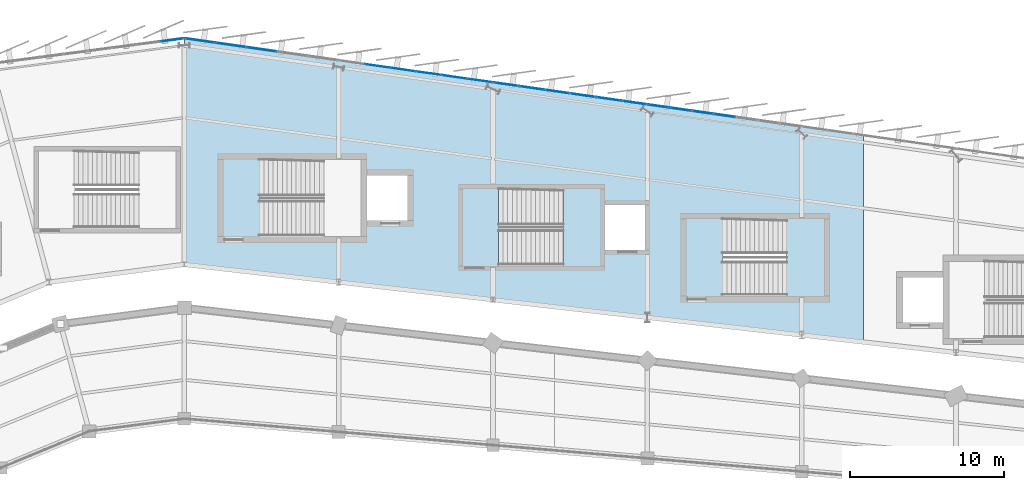
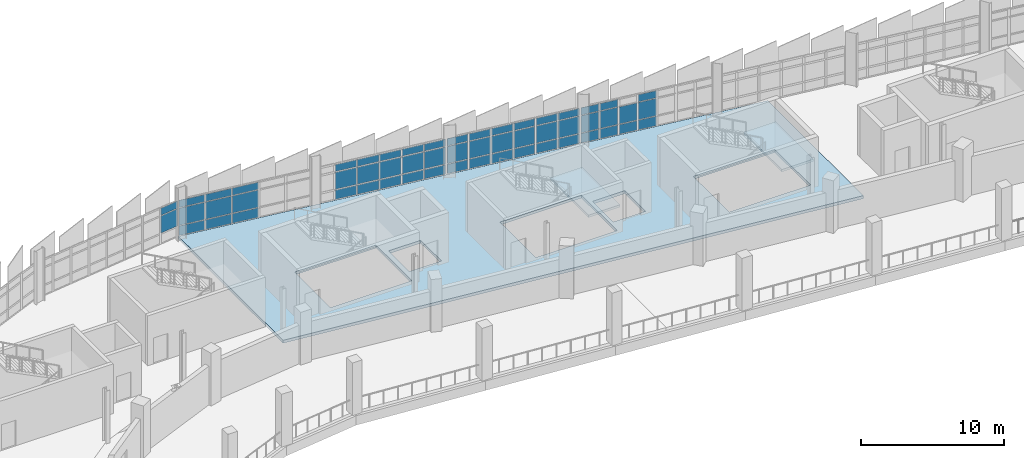
# One storey, part 91 of 125: 55 plates, 3 slabs, 7 elements without a shape of their own.
"""IFC4 building model written with IfcOpenShell, lengths in metres."""

from ifc_helpers import new_model, si_unit, direction, frame, origin, origin_2d, place, context, subcontext, project, spatial, polyline, rectangle, outline, extrude, material, layer, layer_set, type_object, element, aggregate, save


model = new_model("IFC4")

# Units and contexts
model_context = context("Model", 3, precision=1e-05, world=origin(), true_north=direction((0.0, 1.0)))
body_context = subcontext(model_context, "Body", "Model", "MODEL_VIEW")
ifc_project = project(units=[si_unit("LENGTHUNIT", "METRE"), si_unit("AREAUNIT", "SQUARE_METRE"), si_unit("VOLUMEUNIT", "CUBIC_METRE"), si_unit("PLANEANGLEUNIT", "RADIAN"), si_unit("MASSUNIT", "GRAM", prefix="KILO")], contexts=[model_context])

# Site, building, storey
site_placement = place(None, origin())
site = spatial("IfcSite", under=ifc_project, at=site_placement, CompositionType="ELEMENT")
building_placement = place(site_placement, origin())
building = spatial("IfcBuilding", under=site, at=building_placement, Name="Sohan Crest Arena", CompositionType="ELEMENT")
storey_placement = place(building_placement, frame((0.0, 0.0, 9.0)))
storey = spatial("IfcBuildingStorey", under=building, at=storey_placement, Name="L02", CompositionType="ELEMENT", Elevation=9.0)

# Curtain wall, plates
ifc_material_1 = material(Name="Thermally broken anodised aluminium", Category="aluminium")
ifc_layer_1 = layer(ifc_material_1, 0.179931640625, Name="Thermally broken anodised aluminium")
ifc_layer_set_1 = layer_set([ifc_layer_1], Name="Thermally broken anodised aluminium")
curtain_wall_type_1 = type_object("IfcCurtainWallType", Name="ARC-CW01", PredefinedType="NOTDEFINED", material=ifc_layer_set_1)
curtain_wall_1_placement = place(storey_placement, origin())
curtain_wall_1 = element("IfcCurtainWall", 1, at=curtain_wall_1_placement, inside=storey, type_object=curtain_wall_type_1, Name="Unitised curtain wall CW-050", PredefinedType="NOTDEFINED")
ifc_material_2 = material(Name="Low-E double-glazed insulated glass", Category="glass")
ifc_layer_2 = layer(ifc_material_2, 0.028076171875, Name="Low-E double-glazed insulated glass")
ifc_layer_set_2 = layer_set([ifc_layer_2], Name="Low-E double-glazed insulated glass")
plate_type_1 = type_object("IfcPlateType", Name="ARC-CNP01", PredefinedType="CURTAIN_PANEL", material=ifc_layer_set_2)
plate_1_placement = place(storey_placement, frame((97.201416015625, 126.344970703125, 0.929931640625), z_axis=(0.0, 0.0, 1.0), x_axis=(-0.991444066575, -0.130532229177, 0.0)))
plate_1 = element("IfcPlate", 2, at=plate_1_placement, type_object=plate_type_1, Name="CW-050 panel 1.2", PredefinedType="CURTAIN_PANEL", context=body_context, shape_type="SweptSolid", body=[
    extrude(rectangle(XDim=1.490966796875, YDim=0.028076171875, at=origin_2d()), origin(), (0.0, 0.0, 1.0), 1.4599609375),
])
plate_2_placement = place(storey_placement, frame((97.201416015625, 126.344970703125, 2.44970703125), z_axis=(0.0, 0.0, 1.0), x_axis=(-0.991444066575, -0.130532229177, 0.0)))
plate_2 = element("IfcPlate", 3, at=plate_2_placement, type_object=plate_type_1, Name="CW-050 panel 1.3", PredefinedType="CURTAIN_PANEL", context=body_context, shape_type="SweptSolid", body=[
    extrude(rectangle(XDim=1.490966796875, YDim=0.028076171875, at=origin_2d()), origin(), (0.0, 0.0, 1.0), 0.610107421875),
])
aggregate(curtain_wall_1, [plate_1, plate_2])

ifc_layer_3 = layer(ifc_material_1, 0.219970703125, Name="Thermally broken anodised aluminium")
ifc_layer_set_3 = layer_set([ifc_layer_3], Name="Thermally broken anodised aluminium")
curtain_wall_type_2 = type_object("IfcCurtainWallType", Name="ARC-CW03", PredefinedType="NOTDEFINED", material=ifc_layer_set_3)
curtain_wall_2_placement = place(storey_placement, origin())
curtain_wall_2 = element("IfcCurtainWall", 4, at=curtain_wall_2_placement, inside=storey, type_object=curtain_wall_type_2, Name="Unitised curtain wall CW-078", PredefinedType="NOTDEFINED")
plate_3_placement = place(storey_placement, frame((117.15185546875, 123.714111328125, 0.070068359375), z_axis=(0.0, 0.0, 1.0), x_axis=(-0.989957411768, 0.141365918403, 0.0)))
plate_3 = element("IfcPlate", 5, at=plate_3_placement, type_object=plate_type_1, Name="CW-078 panel 1.1", PredefinedType="CURTAIN_PANEL", context=body_context, shape_type="SweptSolid", body=[
    extrude(rectangle(XDim=1.593505859375, YDim=0.028076171875, at=origin_2d()), origin(), (0.0, 0.0, 1.0), 0.794921875),
])
plate_4_placement = place(storey_placement, frame((117.15185546875, 123.714111328125, 0.93505859375), z_axis=(0.0, 0.0, 1.0), x_axis=(-0.989957411768, 0.141365918403, 0.0)))
plate_4 = element("IfcPlate", 6, at=plate_4_placement, type_object=plate_type_1, Name="CW-078 panel 1.2", PredefinedType="CURTAIN_PANEL", context=body_context, shape_type="SweptSolid", body=[
    extrude(rectangle(XDim=1.593505859375, YDim=0.028076171875, at=origin_2d()), origin(), (0.0, 0.0, 1.0), 1.449951171875),
])
plate_5_placement = place(storey_placement, frame((117.15185546875, 123.714111328125, 2.455078125), z_axis=(0.0, 0.0, 1.0), x_axis=(-0.989957411768, 0.141365918403, 0.0)))
plate_5 = element("IfcPlate", 7, at=plate_5_placement, type_object=plate_type_1, Name="CW-078 panel 1.3", PredefinedType="CURTAIN_PANEL", context=body_context, shape_type="SweptSolid", body=[
    extrude(rectangle(XDim=1.593505859375, YDim=0.028076171875, at=origin_2d()), origin(), (0.0, 0.0, 1.0), 0.594970703125),
])
plate_6_placement = place(storey_placement, frame((115.5, 123.949951171875, 0.070068359375), z_axis=(0.0, 0.0, 1.0), x_axis=(-0.989957411768, 0.141365918403, 0.0)))
plate_6 = element("IfcPlate", 8, at=plate_6_placement, type_object=plate_type_1, Name="CW-078 panel 2.1", PredefinedType="CURTAIN_PANEL", context=body_context, shape_type="SweptSolid", body=[
    extrude(rectangle(XDim=1.62353515625, YDim=0.028076171875, at=origin_2d()), origin(), (0.0, 0.0, 1.0), 0.794921875),
])
plate_7_placement = place(storey_placement, frame((115.5, 123.949951171875, 0.93505859375), z_axis=(0.0, 0.0, 1.0), x_axis=(-0.989957411768, 0.141365918403, 0.0)))
plate_7 = element("IfcPlate", 9, at=plate_7_placement, type_object=plate_type_1, Name="CW-078 panel 2.2", PredefinedType="CURTAIN_PANEL", context=body_context, shape_type="SweptSolid", body=[
    extrude(rectangle(XDim=1.62353515625, YDim=0.028076171875, at=origin_2d()), origin(), (0.0, 0.0, 1.0), 1.449951171875),
])
plate_8_placement = place(storey_placement, frame((115.5, 123.949951171875, 2.455078125), z_axis=(0.0, 0.0, 1.0), x_axis=(-0.989957411768, 0.141365918403, 0.0)))
plate_8 = element("IfcPlate", 10, at=plate_8_placement, type_object=plate_type_1, Name="CW-078 panel 2.3", PredefinedType="CURTAIN_PANEL", context=body_context, shape_type="SweptSolid", body=[
    extrude(rectangle(XDim=1.62353515625, YDim=0.028076171875, at=origin_2d()), origin(), (0.0, 0.0, 1.0), 0.594970703125),
])
plate_9_placement = place(storey_placement, frame((113.833251953125, 124.18798828125, 0.070068359375), z_axis=(0.0, 0.0, 1.0), x_axis=(-0.989957411768, 0.141365918403, 0.0)))
plate_9 = element("IfcPlate", 11, at=plate_9_placement, type_object=plate_type_1, Name="CW-078 panel 3.1", PredefinedType="CURTAIN_PANEL", context=body_context, shape_type="SweptSolid", body=[
    extrude(rectangle(XDim=1.62353515625, YDim=0.028076171875, at=origin_2d()), origin(), (0.0, 0.0, 1.0), 0.794921875),
])
plate_10_placement = place(storey_placement, frame((113.833251953125, 124.18798828125, 0.93505859375), z_axis=(0.0, 0.0, 1.0), x_axis=(-0.989957411768, 0.141365918403, 0.0)))
plate_10 = element("IfcPlate", 12, at=plate_10_placement, type_object=plate_type_1, Name="CW-078 panel 3.2", PredefinedType="CURTAIN_PANEL", context=body_context, shape_type="SweptSolid", body=[
    extrude(rectangle(XDim=1.62353515625, YDim=0.028076171875, at=origin_2d()), origin(), (0.0, 0.0, 1.0), 1.449951171875),
])
plate_11_placement = place(storey_placement, frame((113.833251953125, 124.18798828125, 2.455078125), z_axis=(0.0, 0.0, 1.0), x_axis=(-0.989957411768, 0.141365918403, 0.0)))
plate_11 = element("IfcPlate", 13, at=plate_11_placement, type_object=plate_type_1, Name="CW-078 panel 3.3", PredefinedType="CURTAIN_PANEL", context=body_context, shape_type="SweptSolid", body=[
    extrude(rectangle(XDim=1.62353515625, YDim=0.028076171875, at=origin_2d()), origin(), (0.0, 0.0, 1.0), 0.594970703125),
])
plate_12_placement = place(storey_placement, frame((112.166748046875, 124.426025390625, 0.070068359375), z_axis=(0.0, 0.0, 1.0), x_axis=(-0.989957411768, 0.141365918403, 0.0)))
plate_12 = element("IfcPlate", 14, at=plate_12_placement, type_object=plate_type_1, Name="CW-078 panel 4.1", PredefinedType="CURTAIN_PANEL", context=body_context, shape_type="SweptSolid", body=[
    extrude(rectangle(XDim=1.62353515625, YDim=0.028076171875, at=origin_2d()), origin(), (0.0, 0.0, 1.0), 0.794921875),
])
plate_13_placement = place(storey_placement, frame((112.166748046875, 124.426025390625, 0.93505859375), z_axis=(0.0, 0.0, 1.0), x_axis=(-0.989957411768, 0.141365918403, 0.0)))
plate_13 = element("IfcPlate", 15, at=plate_13_placement, type_object=plate_type_1, Name="CW-078 panel 4.2", PredefinedType="CURTAIN_PANEL", context=body_context, shape_type="SweptSolid", body=[
    extrude(rectangle(XDim=1.62353515625, YDim=0.028076171875, at=origin_2d()), origin(), (0.0, 0.0, 1.0), 1.449951171875),
])
plate_14_placement = place(storey_placement, frame((112.166748046875, 124.426025390625, 2.455078125), z_axis=(0.0, 0.0, 1.0), x_axis=(-0.989957411768, 0.141365918403, 0.0)))
plate_14 = element("IfcPlate", 16, at=plate_14_placement, type_object=plate_type_1, Name="CW-078 panel 4.3", PredefinedType="CURTAIN_PANEL", context=body_context, shape_type="SweptSolid", body=[
    extrude(rectangle(XDim=1.62353515625, YDim=0.028076171875, at=origin_2d()), origin(), (0.0, 0.0, 1.0), 0.594970703125),
])
plate_15_placement = place(storey_placement, frame((110.5, 124.6640625, 0.070068359375), z_axis=(0.0, 0.0, 1.0), x_axis=(-0.989957411768, 0.141365918403, 0.0)))
plate_15 = element("IfcPlate", 17, at=plate_15_placement, type_object=plate_type_1, Name="CW-078 panel 5.1", PredefinedType="CURTAIN_PANEL", context=body_context, shape_type="SweptSolid", body=[
    extrude(rectangle(XDim=1.62353515625, YDim=0.028076171875, at=origin_2d()), origin(), (0.0, 0.0, 1.0), 0.794921875),
])
plate_16_placement = place(storey_placement, frame((110.5, 124.6640625, 0.93505859375), z_axis=(0.0, 0.0, 1.0), x_axis=(-0.989957411768, 0.141365918403, 0.0)))
plate_16 = element("IfcPlate", 18, at=plate_16_placement, type_object=plate_type_1, Name="CW-078 panel 5.2", PredefinedType="CURTAIN_PANEL", context=body_context, shape_type="SweptSolid", body=[
    extrude(rectangle(XDim=1.62353515625, YDim=0.028076171875, at=origin_2d()), origin(), (0.0, 0.0, 1.0), 1.449951171875),
])
plate_17_placement = place(storey_placement, frame((110.5, 124.6640625, 2.455078125), z_axis=(0.0, 0.0, 1.0), x_axis=(-0.989957411768, 0.141365918403, 0.0)))
plate_17 = element("IfcPlate", 19, at=plate_17_placement, type_object=plate_type_1, Name="CW-078 panel 5.3", PredefinedType="CURTAIN_PANEL", context=body_context, shape_type="SweptSolid", body=[
    extrude(rectangle(XDim=1.62353515625, YDim=0.028076171875, at=origin_2d()), origin(), (0.0, 0.0, 1.0), 0.594970703125),
])
aggregate(curtain_wall_2, [plate_3, plate_4, plate_5, plate_6, plate_7, plate_8, plate_9, plate_10, plate_11, plate_12, plate_13, plate_14, plate_15, plate_16, plate_17])

ifc_layer_4 = layer(ifc_material_1, 0.239990234375, Name="Thermally broken anodised aluminium")
ifc_layer_set_4 = layer_set([ifc_layer_4], Name="Thermally broken anodised aluminium")
curtain_wall_type_3 = type_object("IfcCurtainWallType", Name="ARC-CW04", PredefinedType="NOTDEFINED", material=ifc_layer_set_4)
curtain_wall_3_placement = place(storey_placement, origin())
curtain_wall_3 = element("IfcCurtainWall", 20, at=curtain_wall_3_placement, inside=storey, type_object=curtain_wall_type_3, Name="Unitised curtain wall CW-079", PredefinedType="NOTDEFINED")
ifc_layer_5 = layer(ifc_material_2, 0.031982421875, Name="Low-E double-glazed insulated glass")
ifc_layer_set_5 = layer_set([ifc_layer_5], Name="Low-E double-glazed insulated glass")
plate_type_2 = type_object("IfcPlateType", Name="ARC-CNP02", PredefinedType="CURTAIN_PANEL", material=ifc_layer_set_5)
plate_18_placement = place(storey_placement, frame((103.0, 125.735595703125, 0.06005859375), z_axis=(0.0, 0.0, 1.0), x_axis=(-0.989943553128, 0.141462933734, 0.0)))
plate_18 = element("IfcPlate", 21, at=plate_18_placement, type_object=plate_type_2, Name="CW-079 panel 3.1", PredefinedType="CURTAIN_PANEL", context=body_context, shape_type="SweptSolid", body=[
    extrude(rectangle(XDim=1.955322265625, YDim=0.031982421875, at=origin_2d()), origin(), (0.0, 0.0, 1.0), 0.81005859375),
])
plate_19_placement = place(storey_placement, frame((103.0, 125.735595703125, 0.929931640625), z_axis=(0.0, 0.0, 1.0), x_axis=(-0.989943553128, 0.141462933734, 0.0)))
plate_19 = element("IfcPlate", 22, at=plate_19_placement, type_object=plate_type_2, Name="CW-079 panel 3.2", PredefinedType="CURTAIN_PANEL", context=body_context, shape_type="SweptSolid", body=[
    extrude(rectangle(XDim=1.955322265625, YDim=0.031982421875, at=origin_2d()), origin(), (0.0, 0.0, 1.0), 1.4599609375),
])
plate_20_placement = place(storey_placement, frame((103.0, 125.735595703125, 2.44970703125), z_axis=(0.0, 0.0, 1.0), x_axis=(-0.989943553128, 0.141462933734, 0.0)))
plate_20 = element("IfcPlate", 23, at=plate_20_placement, type_object=plate_type_2, Name="CW-079 panel 3.3", PredefinedType="CURTAIN_PANEL", context=body_context, shape_type="SweptSolid", body=[
    extrude(rectangle(XDim=1.955322265625, YDim=0.031982421875, at=origin_2d()), origin(), (0.0, 0.0, 1.0), 0.610107421875),
])
plate_21_placement = place(storey_placement, frame((101.0, 126.021240234375, 0.06005859375), z_axis=(0.0, 0.0, 1.0), x_axis=(-0.989943553128, 0.141462933734, 0.0)))
plate_21 = element("IfcPlate", 24, at=plate_21_placement, type_object=plate_type_2, Name="CW-079 panel 4.1", PredefinedType="CURTAIN_PANEL", context=body_context, shape_type="SweptSolid", body=[
    extrude(rectangle(XDim=1.955322265625, YDim=0.031982421875, at=origin_2d()), origin(), (0.0, 0.0, 1.0), 0.81005859375),
])
plate_22_placement = place(storey_placement, frame((101.0, 126.021240234375, 0.929931640625), z_axis=(0.0, 0.0, 1.0), x_axis=(-0.989943553128, 0.141462933734, 0.0)))
plate_22 = element("IfcPlate", 25, at=plate_22_placement, type_object=plate_type_2, Name="CW-079 panel 4.2", PredefinedType="CURTAIN_PANEL", context=body_context, shape_type="SweptSolid", body=[
    extrude(rectangle(XDim=1.955322265625, YDim=0.031982421875, at=origin_2d()), origin(), (0.0, 0.0, 1.0), 1.4599609375),
])
plate_23_placement = place(storey_placement, frame((101.0, 126.021240234375, 2.44970703125), z_axis=(0.0, 0.0, 1.0), x_axis=(-0.989943553128, 0.141462933734, 0.0)))
plate_23 = element("IfcPlate", 26, at=plate_23_placement, type_object=plate_type_2, Name="CW-079 panel 4.3", PredefinedType="CURTAIN_PANEL", context=body_context, shape_type="SweptSolid", body=[
    extrude(rectangle(XDim=1.955322265625, YDim=0.031982421875, at=origin_2d()), origin(), (0.0, 0.0, 1.0), 0.610107421875),
])
plate_24_placement = place(storey_placement, frame((99.01611328125, 126.3046875, 0.06005859375), z_axis=(0.0, 0.0, 1.0), x_axis=(-0.989943553128, 0.141462933734, 0.0)))
plate_24 = element("IfcPlate", 27, at=plate_24_placement, type_object=plate_type_2, Name="CW-079 panel 5.1", PredefinedType="CURTAIN_PANEL", context=body_context, shape_type="SweptSolid", body=[
    extrude(rectangle(XDim=1.9228515625, YDim=0.031982421875, at=origin_2d()), origin(), (0.0, 0.0, 1.0), 0.81005859375),
])
plate_25_placement = place(storey_placement, frame((99.01611328125, 126.3046875, 0.929931640625), z_axis=(0.0, 0.0, 1.0), x_axis=(-0.989943553128, 0.141462933734, 0.0)))
plate_25 = element("IfcPlate", 28, at=plate_25_placement, type_object=plate_type_2, Name="CW-079 panel 5.2", PredefinedType="CURTAIN_PANEL", context=body_context, shape_type="SweptSolid", body=[
    extrude(rectangle(XDim=1.9228515625, YDim=0.031982421875, at=origin_2d()), origin(), (0.0, 0.0, 1.0), 1.4599609375),
])
plate_26_placement = place(storey_placement, frame((99.01611328125, 126.3046875, 2.44970703125), z_axis=(0.0, 0.0, 1.0), x_axis=(-0.989943553128, 0.141462933734, 0.0)))
plate_26 = element("IfcPlate", 29, at=plate_26_placement, type_object=plate_type_2, Name="CW-079 panel 5.3", PredefinedType="CURTAIN_PANEL", context=body_context, shape_type="SweptSolid", body=[
    extrude(rectangle(XDim=1.9228515625, YDim=0.031982421875, at=origin_2d()), origin(), (0.0, 0.0, 1.0), 0.610107421875),
])
aggregate(curtain_wall_3, [plate_18, plate_19, plate_20, plate_21, plate_22, plate_23, plate_24, plate_25, plate_26])

curtain_wall_4_placement = place(storey_placement, origin())
curtain_wall_4 = element("IfcCurtainWall", 30, at=curtain_wall_4_placement, inside=storey, type_object=curtain_wall_type_1, Name="Unitised curtain wall CW-076", PredefinedType="NOTDEFINED")
ifc_material_3 = material(Name="Ceramic-fritted solar-control insulated glass", Category="glass")
ifc_layer_6 = layer(ifc_material_3, 0.035888671875, Name="Ceramic-fritted solar-control insulated glass")
ifc_layer_set_6 = layer_set([ifc_layer_6], Name="Ceramic-fritted solar-control insulated glass")
plate_type_3 = type_object("IfcPlateType", Name="ARC-CNP03", PredefinedType="CURTAIN_PANEL", material=ifc_layer_set_6)
plate_27_placement = place(storey_placement, frame((133.0, 121.449951171875, 0.06005859375), z_axis=(0.0, 0.0, 1.0), x_axis=(-0.989957411768, 0.141365918403, 0.0)))
plate_27 = element("IfcPlate", 31, at=plate_27_placement, type_object=plate_type_3, Name="CW-076 panel 4.1", PredefinedType="CURTAIN_PANEL", context=body_context, shape_type="SweptSolid", body=[
    extrude(rectangle(XDim=1.373046875, YDim=0.035888671875, at=origin_2d()), origin(), (0.0, 0.0, 1.0), 0.81005859375),
])
plate_28_placement = place(storey_placement, frame((133.0, 121.449951171875, 0.929931640625), z_axis=(0.0, 0.0, 1.0), x_axis=(-0.989957411768, 0.141365918403, 0.0)))
plate_28 = element("IfcPlate", 32, at=plate_28_placement, type_object=plate_type_3, Name="CW-076 panel 4.2", PredefinedType="CURTAIN_PANEL", context=body_context, shape_type="SweptSolid", body=[
    extrude(rectangle(XDim=1.373046875, YDim=0.035888671875, at=origin_2d()), origin(), (0.0, 0.0, 1.0), 1.4599609375),
])
plate_29_placement = place(storey_placement, frame((133.0, 121.449951171875, 2.44970703125), z_axis=(0.0, 0.0, 1.0), x_axis=(-0.989957411768, 0.141365918403, 0.0)))
plate_29 = element("IfcPlate", 33, at=plate_29_placement, type_object=plate_type_3, Name="CW-076 panel 4.3", PredefinedType="CURTAIN_PANEL", context=body_context, shape_type="SweptSolid", body=[
    extrude(rectangle(XDim=1.373046875, YDim=0.035888671875, at=origin_2d()), origin(), (0.0, 0.0, 1.0), 0.610107421875),
])
plate_30_placement = place(storey_placement, frame((131.571533203125, 121.654052734375, 0.06005859375), z_axis=(0.0, 0.0, 1.0), x_axis=(-0.989957411768, 0.141365918403, 0.0)))
plate_30 = element("IfcPlate", 34, at=plate_30_placement, type_object=plate_type_3, Name="CW-076 panel 5.1", PredefinedType="CURTAIN_PANEL", context=body_context, shape_type="SweptSolid", body=[
    extrude(rectangle(XDim=1.373046875, YDim=0.035888671875, at=origin_2d()), origin(), (0.0, 0.0, 1.0), 0.81005859375),
])
plate_31_placement = place(storey_placement, frame((131.571533203125, 121.654052734375, 0.929931640625), z_axis=(0.0, 0.0, 1.0), x_axis=(-0.989957411768, 0.141365918403, 0.0)))
plate_31 = element("IfcPlate", 35, at=plate_31_placement, type_object=plate_type_3, Name="CW-076 panel 5.2", PredefinedType="CURTAIN_PANEL", context=body_context, shape_type="SweptSolid", body=[
    extrude(rectangle(XDim=1.373046875, YDim=0.035888671875, at=origin_2d()), origin(), (0.0, 0.0, 1.0), 1.4599609375),
])
plate_32_placement = place(storey_placement, frame((130.142822265625, 121.85791015625, 0.06005859375), z_axis=(0.0, 0.0, 1.0), x_axis=(-0.989957411768, 0.141365918403, 0.0)))
plate_32 = element("IfcPlate", 36, at=plate_32_placement, type_object=plate_type_3, Name="CW-076 panel 6.1", PredefinedType="CURTAIN_PANEL", context=body_context, shape_type="SweptSolid", body=[
    extrude(rectangle(XDim=1.373046875, YDim=0.035888671875, at=origin_2d()), origin(), (0.0, 0.0, 1.0), 0.81005859375),
])
plate_33_placement = place(storey_placement, frame((130.142822265625, 121.85791015625, 0.929931640625), z_axis=(0.0, 0.0, 1.0), x_axis=(-0.989957411768, 0.141365918403, 0.0)))
plate_33 = element("IfcPlate", 37, at=plate_33_placement, type_object=plate_type_3, Name="CW-076 panel 6.2", PredefinedType="CURTAIN_PANEL", context=body_context, shape_type="SweptSolid", body=[
    extrude(rectangle(XDim=1.373046875, YDim=0.035888671875, at=origin_2d()), origin(), (0.0, 0.0, 1.0), 1.4599609375),
])
plate_34_placement = place(storey_placement, frame((130.142822265625, 121.85791015625, 2.44970703125), z_axis=(0.0, 0.0, 1.0), x_axis=(-0.989957411768, 0.141365918403, 0.0)))
plate_34 = element("IfcPlate", 38, at=plate_34_placement, type_object=plate_type_3, Name="CW-076 panel 6.3", PredefinedType="CURTAIN_PANEL", context=body_context, shape_type="SweptSolid", body=[
    extrude(rectangle(XDim=1.373046875, YDim=0.035888671875, at=origin_2d()), origin(), (0.0, 0.0, 1.0), 0.610107421875),
])
plate_35_placement = place(storey_placement, frame((128.731689453125, 122.0595703125, 0.06005859375), z_axis=(0.0, 0.0, 1.0), x_axis=(-0.989957411768, 0.141365918403, 0.0)))
plate_35 = element("IfcPlate", 39, at=plate_35_placement, type_object=plate_type_3, Name="CW-076 panel 7.1", PredefinedType="CURTAIN_PANEL", context=body_context, shape_type="SweptSolid", body=[
    extrude(rectangle(XDim=1.338134765625, YDim=0.035888671875, at=origin_2d()), origin(), (0.0, 0.0, 1.0), 0.81005859375),
])
plate_36_placement = place(storey_placement, frame((128.731689453125, 122.0595703125, 0.929931640625), z_axis=(0.0, 0.0, 1.0), x_axis=(-0.989957411768, 0.141365918403, 0.0)))
plate_36 = element("IfcPlate", 40, at=plate_36_placement, type_object=plate_type_3, Name="CW-076 panel 7.2", PredefinedType="CURTAIN_PANEL", context=body_context, shape_type="SweptSolid", body=[
    extrude(rectangle(XDim=1.338134765625, YDim=0.035888671875, at=origin_2d()), origin(), (0.0, 0.0, 1.0), 1.4599609375),
])
plate_37_placement = place(storey_placement, frame((128.731689453125, 122.0595703125, 2.44970703125), z_axis=(0.0, 0.0, 1.0), x_axis=(-0.989957411768, 0.141365918403, 0.0)))
plate_37 = element("IfcPlate", 41, at=plate_37_placement, type_object=plate_type_3, Name="CW-076 panel 7.3", PredefinedType="CURTAIN_PANEL", context=body_context, shape_type="SweptSolid", body=[
    extrude(rectangle(XDim=1.338134765625, YDim=0.035888671875, at=origin_2d()), origin(), (0.0, 0.0, 1.0), 0.610107421875),
])
aggregate(curtain_wall_4, [plate_27, plate_28, plate_29, plate_30, plate_31, plate_32, plate_33, plate_34, plate_35, plate_36, plate_37])

ifc_layer_7 = layer(ifc_material_1, 0.199951171875, Name="Thermally broken anodised aluminium")
ifc_layer_set_7 = layer_set([ifc_layer_7], Name="Thermally broken anodised aluminium")
curtain_wall_type_4 = type_object("IfcCurtainWallType", Name="ARC-CW02", PredefinedType="NOTDEFINED", material=ifc_layer_set_7)
curtain_wall_5_placement = place(storey_placement, origin())
curtain_wall_5 = element("IfcCurtainWall", 42, at=curtain_wall_5_placement, inside=storey, type_object=curtain_wall_type_4, Name="Unitised curtain wall CW-077", PredefinedType="NOTDEFINED")
ifc_material_4 = material(Name="Insulated polychrome ceramic spandrel panel", Category="masonry")
ifc_layer_8 = layer(ifc_material_4, 0.0419921875, Name="Insulated polychrome ceramic spandrel panel")
ifc_layer_set_8 = layer_set([ifc_layer_8], Name="Insulated polychrome ceramic spandrel panel")
plate_type_4 = type_object("IfcPlateType", Name="ARC-CNP04", PredefinedType="CURTAIN_PANEL", material=ifc_layer_set_8)
plate_38_placement = place(storey_placement, frame((127.148193359375, 122.28564453125, 0.06494140625), z_axis=(0.0, 0.0, 1.0), x_axis=(-0.989943553128, 0.141462933734, 0.0)))
plate_38 = element("IfcPlate", 43, at=plate_38_placement, type_object=plate_type_4, Name="CW-077 panel 1.1", PredefinedType="CURTAIN_PANEL", context=body_context, shape_type="SweptSolid", body=[
    extrude(rectangle(XDim=1.571044921875, YDim=0.0419921875, at=origin_2d()), origin(), (0.0, 0.0, 1.0), 0.802490234375),
])
plate_39_placement = place(storey_placement, frame((127.148193359375, 122.28564453125, 0.932373046875), z_axis=(0.0, 0.0, 1.0), x_axis=(-0.989943553128, 0.141462933734, 0.0)))
plate_39 = element("IfcPlate", 44, at=plate_39_placement, type_object=plate_type_4, Name="CW-077 panel 1.2", PredefinedType="CURTAIN_PANEL", context=body_context, shape_type="SweptSolid", body=[
    extrude(rectangle(XDim=1.571044921875, YDim=0.0419921875, at=origin_2d()), origin(), (0.0, 0.0, 1.0), 1.455078125),
])
plate_40_placement = place(storey_placement, frame((127.148193359375, 122.28564453125, 2.452392578125), z_axis=(0.0, 0.0, 1.0), x_axis=(-0.989943553128, 0.141462933734, 0.0)))
plate_40 = element("IfcPlate", 45, at=plate_40_placement, type_object=plate_type_4, Name="CW-077 panel 1.3", PredefinedType="CURTAIN_PANEL", context=body_context, shape_type="SweptSolid", body=[
    extrude(rectangle(XDim=1.571044921875, YDim=0.0419921875, at=origin_2d()), origin(), (0.0, 0.0, 1.0), 0.6025390625),
])
plate_41_placement = place(storey_placement, frame((125.5, 122.521240234375, 0.06494140625), z_axis=(0.0, 0.0, 1.0), x_axis=(-0.989943553128, 0.141462933734, 0.0)))
plate_41 = element("IfcPlate", 46, at=plate_41_placement, type_object=plate_type_4, Name="CW-077 panel 2.1", PredefinedType="CURTAIN_PANEL", context=body_context, shape_type="SweptSolid", body=[
    extrude(rectangle(XDim=1.608642578125, YDim=0.0419921875, at=origin_2d()), origin(), (0.0, 0.0, 1.0), 0.802490234375),
])
plate_42_placement = place(storey_placement, frame((125.5, 122.521240234375, 0.932373046875), z_axis=(0.0, 0.0, 1.0), x_axis=(-0.989943553128, 0.141462933734, 0.0)))
plate_42 = element("IfcPlate", 47, at=plate_42_placement, type_object=plate_type_4, Name="CW-077 panel 2.2", PredefinedType="CURTAIN_PANEL", context=body_context, shape_type="SweptSolid", body=[
    extrude(rectangle(XDim=1.608642578125, YDim=0.0419921875, at=origin_2d()), origin(), (0.0, 0.0, 1.0), 1.455078125),
])
plate_43_placement = place(storey_placement, frame((125.5, 122.521240234375, 2.452392578125), z_axis=(0.0, 0.0, 1.0), x_axis=(-0.989943553128, 0.141462933734, 0.0)))
plate_43 = element("IfcPlate", 48, at=plate_43_placement, type_object=plate_type_4, Name="CW-077 panel 2.3", PredefinedType="CURTAIN_PANEL", context=body_context, shape_type="SweptSolid", body=[
    extrude(rectangle(XDim=1.608642578125, YDim=0.0419921875, at=origin_2d()), origin(), (0.0, 0.0, 1.0), 0.6025390625),
])
plate_44_placement = place(storey_placement, frame((123.833251953125, 122.759521484375, 0.06494140625), z_axis=(0.0, 0.0, 1.0), x_axis=(-0.989943553128, 0.141462933734, 0.0)))
plate_44 = element("IfcPlate", 49, at=plate_44_placement, type_object=plate_type_4, Name="CW-077 panel 3.1", PredefinedType="CURTAIN_PANEL", context=body_context, shape_type="SweptSolid", body=[
    extrude(rectangle(XDim=1.608642578125, YDim=0.0419921875, at=origin_2d()), origin(), (0.0, 0.0, 1.0), 0.802490234375),
])
plate_45_placement = place(storey_placement, frame((123.833251953125, 122.759521484375, 0.932373046875), z_axis=(0.0, 0.0, 1.0), x_axis=(-0.989943553128, 0.141462933734, 0.0)))
plate_45 = element("IfcPlate", 50, at=plate_45_placement, type_object=plate_type_4, Name="CW-077 panel 3.2", PredefinedType="CURTAIN_PANEL", context=body_context, shape_type="SweptSolid", body=[
    extrude(rectangle(XDim=1.608642578125, YDim=0.0419921875, at=origin_2d()), origin(), (0.0, 0.0, 1.0), 1.455078125),
])
plate_46_placement = place(storey_placement, frame((123.833251953125, 122.759521484375, 2.452392578125), z_axis=(0.0, 0.0, 1.0), x_axis=(-0.989943553128, 0.141462933734, 0.0)))
plate_46 = element("IfcPlate", 51, at=plate_46_placement, type_object=plate_type_4, Name="CW-077 panel 3.3", PredefinedType="CURTAIN_PANEL", context=body_context, shape_type="SweptSolid", body=[
    extrude(rectangle(XDim=1.608642578125, YDim=0.0419921875, at=origin_2d()), origin(), (0.0, 0.0, 1.0), 0.6025390625),
])
plate_47_placement = place(storey_placement, frame((122.166748046875, 122.99755859375, 0.06494140625), z_axis=(0.0, 0.0, 1.0), x_axis=(-0.989943553128, 0.141462933734, 0.0)))
plate_47 = element("IfcPlate", 52, at=plate_47_placement, type_object=plate_type_4, Name="CW-077 panel 4.1", PredefinedType="CURTAIN_PANEL", context=body_context, shape_type="SweptSolid", body=[
    extrude(rectangle(XDim=1.608642578125, YDim=0.0419921875, at=origin_2d()), origin(), (0.0, 0.0, 1.0), 0.802490234375),
])
plate_48_placement = place(storey_placement, frame((122.166748046875, 122.99755859375, 0.932373046875), z_axis=(0.0, 0.0, 1.0), x_axis=(-0.989943553128, 0.141462933734, 0.0)))
plate_48 = element("IfcPlate", 53, at=plate_48_placement, type_object=plate_type_4, Name="CW-077 panel 4.2", PredefinedType="CURTAIN_PANEL", context=body_context, shape_type="SweptSolid", body=[
    extrude(rectangle(XDim=1.608642578125, YDim=0.0419921875, at=origin_2d()), origin(), (0.0, 0.0, 1.0), 1.455078125),
])
plate_49_placement = place(storey_placement, frame((122.166748046875, 122.99755859375, 2.452392578125), z_axis=(0.0, 0.0, 1.0), x_axis=(-0.989943553128, 0.141462933734, 0.0)))
plate_49 = element("IfcPlate", 54, at=plate_49_placement, type_object=plate_type_4, Name="CW-077 panel 4.3", PredefinedType="CURTAIN_PANEL", context=body_context, shape_type="SweptSolid", body=[
    extrude(rectangle(XDim=1.608642578125, YDim=0.0419921875, at=origin_2d()), origin(), (0.0, 0.0, 1.0), 0.6025390625),
])
plate_50_placement = place(storey_placement, frame((120.5, 123.23583984375, 0.06494140625), z_axis=(0.0, 0.0, 1.0), x_axis=(-0.989943553128, 0.141462933734, 0.0)))
plate_50 = element("IfcPlate", 55, at=plate_50_placement, type_object=plate_type_4, Name="CW-077 panel 5.1", PredefinedType="CURTAIN_PANEL", context=body_context, shape_type="SweptSolid", body=[
    extrude(rectangle(XDim=1.608642578125, YDim=0.0419921875, at=origin_2d()), origin(), (0.0, 0.0, 1.0), 0.802490234375),
])
plate_51_placement = place(storey_placement, frame((120.5, 123.23583984375, 0.932373046875), z_axis=(0.0, 0.0, 1.0), x_axis=(-0.989943553128, 0.141462933734, 0.0)))
plate_51 = element("IfcPlate", 56, at=plate_51_placement, type_object=plate_type_4, Name="CW-077 panel 5.2", PredefinedType="CURTAIN_PANEL", context=body_context, shape_type="SweptSolid", body=[
    extrude(rectangle(XDim=1.608642578125, YDim=0.0419921875, at=origin_2d()), origin(), (0.0, 0.0, 1.0), 1.455078125),
])
plate_52_placement = place(storey_placement, frame((120.5, 123.23583984375, 2.452392578125), z_axis=(0.0, 0.0, 1.0), x_axis=(-0.989943553128, 0.141462933734, 0.0)))
plate_52 = element("IfcPlate", 57, at=plate_52_placement, type_object=plate_type_4, Name="CW-077 panel 5.3", PredefinedType="CURTAIN_PANEL", context=body_context, shape_type="SweptSolid", body=[
    extrude(rectangle(XDim=1.608642578125, YDim=0.0419921875, at=origin_2d()), origin(), (0.0, 0.0, 1.0), 0.6025390625),
])
plate_53_placement = place(storey_placement, frame((118.851806640625, 123.47119140625, 0.06494140625), z_axis=(0.0, 0.0, 1.0), x_axis=(-0.989943553128, 0.141462933734, 0.0)))
plate_53 = element("IfcPlate", 58, at=plate_53_placement, type_object=plate_type_4, Name="CW-077 panel 6.1", PredefinedType="CURTAIN_PANEL", context=body_context, shape_type="SweptSolid", body=[
    extrude(rectangle(XDim=1.571044921875, YDim=0.0419921875, at=origin_2d()), origin(), (0.0, 0.0, 1.0), 0.802490234375),
])
plate_54_placement = place(storey_placement, frame((118.851806640625, 123.47119140625, 0.932373046875), z_axis=(0.0, 0.0, 1.0), x_axis=(-0.989943553128, 0.141462933734, 0.0)))
plate_54 = element("IfcPlate", 59, at=plate_54_placement, type_object=plate_type_4, Name="CW-077 panel 6.2", PredefinedType="CURTAIN_PANEL", context=body_context, shape_type="SweptSolid", body=[
    extrude(rectangle(XDim=1.571044921875, YDim=0.0419921875, at=origin_2d()), origin(), (0.0, 0.0, 1.0), 1.455078125),
])
plate_55_placement = place(storey_placement, frame((118.851806640625, 123.47119140625, 2.452392578125), z_axis=(0.0, 0.0, 1.0), x_axis=(-0.989943553128, 0.141462933734, 0.0)))
plate_55 = element("IfcPlate", 60, at=plate_55_placement, type_object=plate_type_4, Name="CW-077 panel 6.3", PredefinedType="CURTAIN_PANEL", context=body_context, shape_type="SweptSolid", body=[
    extrude(rectangle(XDim=1.571044921875, YDim=0.0419921875, at=origin_2d()), origin(), (0.0, 0.0, 1.0), 0.6025390625),
])
aggregate(curtain_wall_5, [plate_38, plate_39, plate_40, plate_41, plate_42, plate_43, plate_44, plate_45, plate_46, plate_47, plate_48, plate_49, plate_50, plate_51, plate_52, plate_53, plate_54, plate_55])

# Slab
ifc_material_5 = material(Name="Concrete C40/50", Category="concrete")
ifc_layer_9 = layer(ifc_material_5, 0.25, Name="Concrete C40/50")
ifc_layer_set_9 = layer_set([ifc_layer_9], Name="Concrete C40/50")
slab_type_1 = type_object("IfcSlabType", Name="SL-FLR3", PredefinedType="FLOOR", material=ifc_layer_set_9)
slab_1_placement = place(storey_placement, frame((0.0, 0.0, -0.25)))
element("IfcSlab", 61, at=slab_1_placement, inside=storey, type_object=slab_type_1, Name="Concourse ring L02 sector 3 SL-L02-V2S3", PredefinedType="FLOOR", context=body_context, shape_type="SweptSolid", body=[
    extrude(outline(polyline([(98.0, 126.449951171875), (142.0, 120.1640625), (142.0, 106.77197265625), (98.0, 111.800048828125), (98.0, 126.449951171875)]), holes=[polyline([(102.8701171875, 113.60009765625), (109.449951171875, 113.60009765625), (109.449951171875, 118.60009765625), (102.8701171875, 118.60009765625), (102.8701171875, 113.60009765625)]), polyline([(109.85009765625, 117.550048828125), (109.85009765625, 114.64990234375), (112.449951171875, 114.64990234375), (112.449951171875, 117.550048828125), (109.85009765625, 117.550048828125)]), polyline([(118.3701171875, 111.699951171875), (124.949951171875, 111.699951171875), (124.949951171875, 116.699951171875), (118.3701171875, 116.699951171875), (118.3701171875, 111.699951171875)]), polyline([(125.25, 115.64990234375), (125.25, 112.75), (127.85009765625, 112.75), (127.85009765625, 115.64990234375), (125.25, 115.64990234375)]), polyline([(132.8701171875, 114.75), (132.8701171875, 109.75), (139.449951171875, 109.75), (139.449951171875, 114.75), (132.8701171875, 114.75)])]), origin(), (0.0, 0.0, 1.0), 0.25),
])

# Stair, slab
stair_type_1 = type_object("IfcStairType", Name="ST-450", PredefinedType="TWO_STRAIGHT_RUN_STAIR", material=ifc_material_5)
stair_1_placement = place(storey_placement, origin())
stair_1 = element("IfcStair", 62, at=stair_1_placement, inside=storey, type_object=stair_type_1, Name="Protected exit stair ST08-L02", PredefinedType="TWO_STRAIGHT_RUN_STAIR")
ifc_layer_10 = layer(ifc_material_5, 0.199951171875, Name="Concrete C40/50")
ifc_layer_set_10 = layer_set([ifc_layer_10], Name="Concrete C40/50")
slab_type_2 = type_object("IfcSlabType", Name="SL-LND1", PredefinedType="LANDING", material=ifc_layer_set_10)
slab_2_placement = place(storey_placement, frame((0.0, 0.0, 2.050048828125)))
slab_2 = element("IfcSlab", 63, at=slab_2_placement, type_object=slab_type_2, Name="ST08-L02 landing 1", PredefinedType="LANDING", context=body_context, shape_type="SweptSolid", body=[
    extrude(outline(polyline([(122.530029296875, 111.550048828125), (125.10009765625, 111.550048828125), (125.10009765625, 116.85009765625), (122.530029296875, 116.85009765625), (122.530029296875, 111.550048828125)])), origin(), (0.0, 0.0, 1.0), 0.199951171875),
])
aggregate(stair_1, [slab_2])

stair_type_2 = type_object("IfcStairType", Name="ST-450W", PredefinedType="TWO_STRAIGHT_RUN_STAIR", material=ifc_material_5)
stair_2_placement = place(storey_placement, origin())
stair_2 = element("IfcStair", 64, at=stair_2_placement, inside=storey, type_object=stair_type_2, Name="Protected exit stair ST22-L02", PredefinedType="TWO_STRAIGHT_RUN_STAIR")
slab_3_placement = place(storey_placement, frame((0.0, 0.0, 2.050048828125)))
slab_3 = element("IfcSlab", 65, at=slab_3_placement, type_object=slab_type_2, Name="ST22-L02 landing 1", PredefinedType="LANDING", context=body_context, shape_type="SweptSolid", body=[
    extrude(outline(polyline([(137.030029296875, 109.60009765625), (139.60009765625, 109.60009765625), (139.60009765625, 114.89990234375), (137.030029296875, 114.89990234375), (137.030029296875, 109.60009765625)])), origin(), (0.0, 0.0, 1.0), 0.199951171875),
])
aggregate(stair_2, [slab_3])

save(model, "model.ifc")
